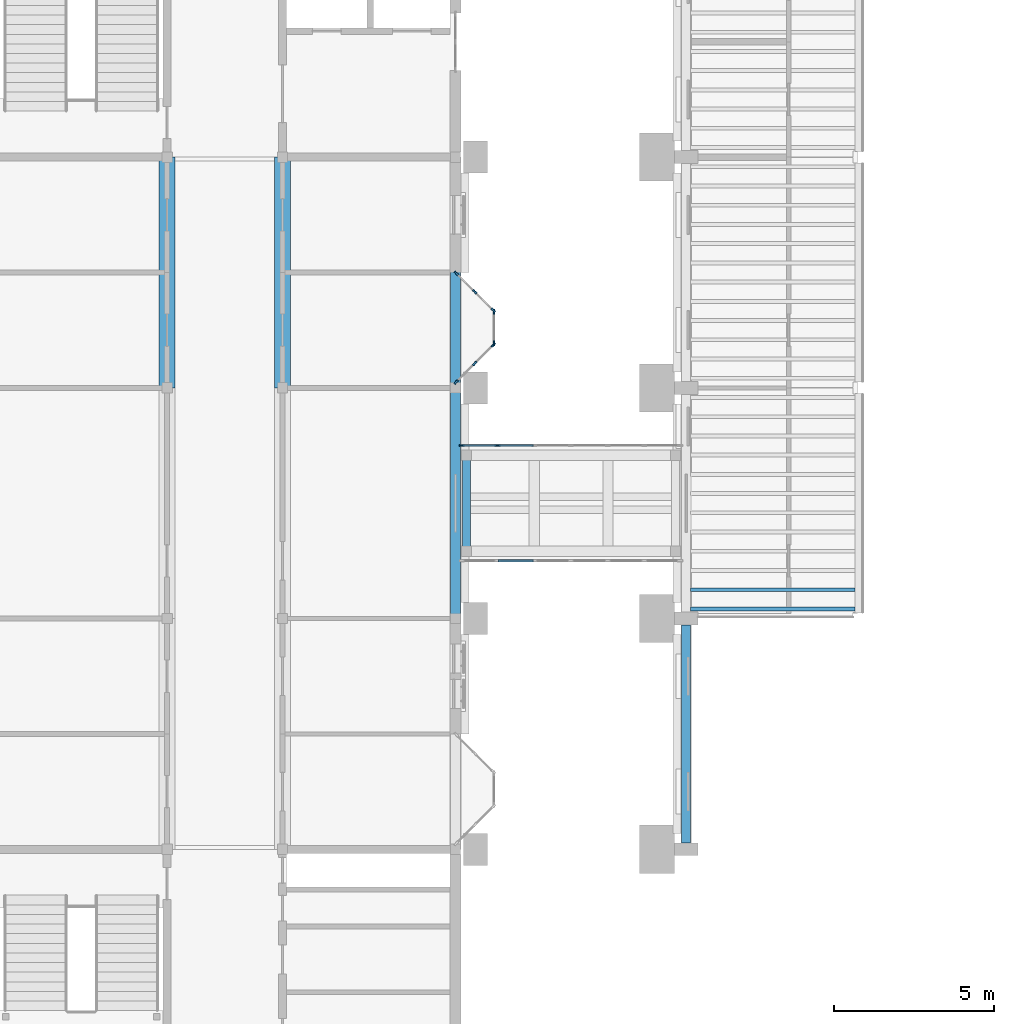
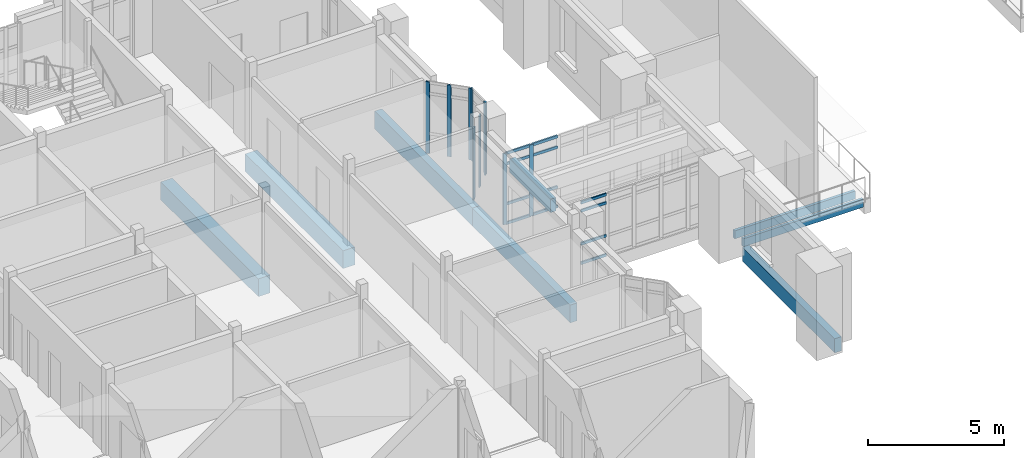
# One storey, part 6 of 69: 22 members, 8 beams, 5 elements without a shape of their own.
"""IFC4 building model written with IfcOpenShell, lengths in metres."""

from ifc_helpers import new_model, si_unit, direction, frame, origin, origin_2d, place, context, subcontext, project, spatial, rectangle, extrude, material, layer, layer_set, material_profile, profile_set, type_object, element, aggregate, save


model = new_model("IFC4")

# Units and contexts
model_context = context("Model", 3, precision=1e-05, world=origin(), true_north=direction((0.0, 1.0)))
body_context = subcontext(model_context, "Body", "Model", "MODEL_VIEW")
ifc_project = project(units=[si_unit("LENGTHUNIT", "METRE"), si_unit("AREAUNIT", "SQUARE_METRE"), si_unit("VOLUMEUNIT", "CUBIC_METRE"), si_unit("PLANEANGLEUNIT", "RADIAN"), si_unit("MASSUNIT", "GRAM", prefix="KILO")], contexts=[model_context])

# Site, building, storey
site_placement = place(None, origin())
site = spatial("IfcSite", under=ifc_project, at=site_placement, CompositionType="ELEMENT")
building_placement = place(site_placement, origin())
building = spatial("IfcBuilding", under=site, at=building_placement, Name="Mazhai Court Health Centre", CompositionType="ELEMENT")
storey_placement = place(building_placement, frame((0.0, 0.0, 6.300048828125)))
storey = spatial("IfcBuildingStorey", under=building, at=storey_placement, Name="L01", CompositionType="ELEMENT", Elevation=6.300048828125)

# Curtain wall, members
ifc_material_1 = material(Name="Teak timber frame, glazed", Category="wood")
ifc_layer_1 = layer(ifc_material_1, 0.10009765625)
ifc_layer_set_1 = layer_set([ifc_layer_1], Name="CURTAIN WALL TIMBER 900")
curtain_wall_type_1 = type_object("IfcCurtainWallType", Name="CURTAIN WALL TIMBER 900", PredefinedType="NOTDEFINED", material=ifc_layer_set_1)
curtain_wall_1_placement = place(storey_placement, origin())
curtain_wall_1 = element("IfcCurtainWall", 1, at=curtain_wall_1_placement, inside=storey, type_object=curtain_wall_type_1, Name="CW-ORIEL-V5-L01-B30-0", PredefinedType="NOTDEFINED")
ifc_material_2 = material(Name="Teak timber", Category="wood")
ifc_material_profile_1 = material_profile(ifc_material_2, rectangle(XDim=0.06005859375, YDim=0.159912109375, at=origin_2d()), Name="CW MULLION 60x160")
ifc_profile_set_1 = profile_set([ifc_material_profile_1], Name="Teak timber")
member_type_1 = type_object("IfcMemberType", Name="CW MULLION 60x160", PredefinedType="MULLION", material=ifc_profile_set_1)
member_1_placement = place(storey_placement, frame((35.021240234375, 27.981201171875, 0.0), z_axis=(0.0, 0.0, 1.0), x_axis=(-0.707106781187, 0.707106781187, 0.0)))
member_1 = element("IfcMember", 2, at=member_1_placement, type_object=member_type_1, Name="CW mullion 1", PredefinedType="MULLION", context=body_context, shape_type="SweptSolid", body=[
    extrude(rectangle(XDim=0.06005859375, YDim=0.159912109375, at=origin_2d()), origin(), (0.0, 0.0, 1.0), 3.219970703125),
])
member_2_placement = place(storey_placement, frame((35.60009765625, 28.56005859375, 0.0), z_axis=(0.0, 0.0, 1.0), x_axis=(-0.707106781187, 0.707106781187, 0.0)))
member_2 = element("IfcMember", 3, at=member_2_placement, type_object=member_type_1, Name="CW mullion 2", PredefinedType="MULLION", context=body_context, shape_type="SweptSolid", body=[
    extrude(rectangle(XDim=0.06005859375, YDim=0.159912109375, at=origin_2d()), origin(), (0.0, 0.0, 1.0), 3.219970703125),
])
member_3_placement = place(storey_placement, frame((36.1787109375, 29.138671875, 0.0), z_axis=(0.0, 0.0, 1.0), x_axis=(-0.707106781187, 0.707106781187, 0.0)))
member_3 = element("IfcMember", 4, at=member_3_placement, type_object=member_type_1, Name="CW mullion 3", PredefinedType="MULLION", context=body_context, shape_type="SweptSolid", body=[
    extrude(rectangle(XDim=0.06005859375, YDim=0.159912109375, at=origin_2d()), origin(), (0.0, 0.0, 1.0), 3.219970703125),
])
aggregate(curtain_wall_1, [member_1, member_2, member_3])

curtain_wall_2_placement = place(storey_placement, origin())
curtain_wall_2 = element("IfcCurtainWall", 5, at=curtain_wall_2_placement, inside=storey, type_object=curtain_wall_type_1, Name="CW-ORIEL-V5-L01-B30-1", PredefinedType="NOTDEFINED")
member_4_placement = place(storey_placement, frame((36.199951171875, 29.18994140625, 0.0), z_axis=(0.0, 0.0, 1.0), x_axis=(-1.0, 0.0, 0.0)))
member_4 = element("IfcMember", 6, at=member_4_placement, type_object=member_type_1, Name="CW mullion 1", PredefinedType="MULLION", context=body_context, shape_type="SweptSolid", body=[
    extrude(rectangle(XDim=0.06005859375, YDim=0.159912109375, at=origin_2d()), origin(), (0.0, 0.0, 1.0), 3.219970703125),
])
member_5_placement = place(storey_placement, frame((36.199951171875, 30.169921875, 0.0), z_axis=(0.0, 0.0, 1.0), x_axis=(-1.0, 0.0, 0.0)))
member_5 = element("IfcMember", 7, at=member_5_placement, type_object=member_type_1, Name="CW mullion 2", PredefinedType="MULLION", context=body_context, shape_type="SweptSolid", body=[
    extrude(rectangle(XDim=0.06005859375, YDim=0.159912109375, at=origin_2d()), origin(), (0.0, 0.0, 1.0), 3.219970703125),
])
aggregate(curtain_wall_2, [member_4, member_5])

curtain_wall_3_placement = place(storey_placement, origin())
curtain_wall_3 = element("IfcCurtainWall", 8, at=curtain_wall_3_placement, inside=storey, type_object=curtain_wall_type_1, Name="CW-ORIEL-V5-L01-B30-2", PredefinedType="NOTDEFINED")
member_6_placement = place(storey_placement, frame((36.1787109375, 30.22119140625, 0.0), z_axis=(0.0, 0.0, 1.0), x_axis=(-0.707106781187, -0.707106781187, 0.0)))
member_6 = element("IfcMember", 9, at=member_6_placement, type_object=member_type_1, Name="CW mullion 1", PredefinedType="MULLION", context=body_context, shape_type="SweptSolid", body=[
    extrude(rectangle(XDim=0.06005859375, YDim=0.159912109375, at=origin_2d()), origin(), (0.0, 0.0, 1.0), 3.219970703125),
])
member_7_placement = place(storey_placement, frame((35.60009765625, 30.800048828125, 0.0), z_axis=(0.0, 0.0, 1.0), x_axis=(-0.707106781187, -0.707106781187, 0.0)))
member_7 = element("IfcMember", 10, at=member_7_placement, type_object=member_type_1, Name="CW mullion 2", PredefinedType="MULLION", context=body_context, shape_type="SweptSolid", body=[
    extrude(rectangle(XDim=0.06005859375, YDim=0.159912109375, at=origin_2d()), origin(), (0.0, 0.0, 1.0), 3.219970703125),
])
member_8_placement = place(storey_placement, frame((35.021240234375, 31.37890625, 0.0), z_axis=(0.0, 0.0, 1.0), x_axis=(-0.707106781187, -0.707106781187, 0.0)))
member_8 = element("IfcMember", 11, at=member_8_placement, type_object=member_type_1, Name="CW mullion 3", PredefinedType="MULLION", context=body_context, shape_type="SweptSolid", body=[
    extrude(rectangle(XDim=0.06005859375, YDim=0.159912109375, at=origin_2d()), origin(), (0.0, 0.0, 1.0), 3.219970703125),
])
aggregate(curtain_wall_3, [member_6, member_7, member_8])

ifc_material_3 = material(Name="Teak timber frame, glazed", Category="wood")
ifc_layer_2 = layer(ifc_material_3, 0.10009765625)
ifc_layer_set_2 = layer_set([ifc_layer_2], Name="CURTAIN WALL TIMBER 1200")
curtain_wall_type_2 = type_object("IfcCurtainWallType", Name="CURTAIN WALL TIMBER 1200", PredefinedType="NOTDEFINED", material=ifc_layer_set_2)
curtain_wall_4_placement = place(storey_placement, origin())
curtain_wall_4 = element("IfcCurtainWall", 12, at=curtain_wall_4_placement, inside=storey, type_object=curtain_wall_type_2, Name="CW-BR-P1-N", PredefinedType="NOTDEFINED")
member_9_placement = place(storey_placement, frame((35.195068359375, 26.0, 0.0), z_axis=(0.0, 0.0, 1.0), x_axis=(0.0, 1.0, 0.0)))
member_9 = element("IfcMember", 13, at=member_9_placement, type_object=member_type_1, Name="CW mullion 1", PredefinedType="MULLION", context=body_context, shape_type="SweptSolid", body=[
    extrude(rectangle(XDim=0.06005859375, YDim=0.159912109375, at=origin_2d()), origin(), (0.0, 0.0, 1.0), 3.199951171875),
])
member_10_placement = place(storey_placement, frame((36.31005859375, 26.0, 0.0), z_axis=(0.0, 0.0, 1.0), x_axis=(0.0, 1.0, 0.0)))
member_10 = element("IfcMember", 14, at=member_10_placement, type_object=member_type_1, Name="CW mullion 2", PredefinedType="MULLION", context=body_context, shape_type="SweptSolid", body=[
    extrude(rectangle(XDim=0.06005859375, YDim=0.159912109375, at=origin_2d()), origin(), (0.0, 0.0, 1.0), 3.199951171875),
])

curtain_wall_5_placement = place(storey_placement, origin())
curtain_wall_5 = element("IfcCurtainWall", 15, at=curtain_wall_5_placement, inside=storey, type_object=curtain_wall_type_2, Name="CW-BR-P1-S", PredefinedType="NOTDEFINED")
ifc_material_4 = material(Name="Teak timber", Category="wood")
ifc_material_profile_2 = material_profile(ifc_material_4, rectangle(XDim=0.06005859375, YDim=0.1201171875, at=origin_2d()), Name="CW TRANSOM 60x120")
ifc_profile_set_2 = profile_set([ifc_material_profile_2], Name="Teak timber")
member_type_2 = type_object("IfcMemberType", Name="CW TRANSOM 60x120", PredefinedType="USERDEFINED", material=ifc_profile_set_2)
member_11_placement = place(storey_placement, frame((36.340087890625, 22.39990234375, 0.030029296875), z_axis=(1.0, 0.0, 0.0), x_axis=(0.0, 1.0, 0.0)))
member_11 = element("IfcMember", 16, at=member_11_placement, type_object=member_type_2, Name="CW transom 2.1", ObjectType="TRANSOM", PredefinedType="USERDEFINED", context=body_context, shape_type="SweptSolid", body=[
    extrude(rectangle(XDim=0.06005859375, YDim=0.1201171875, at=origin_2d()), origin(), (0.0, 0.0, 1.0), 1.0849609375),
])
member_12_placement = place(storey_placement, frame((36.340087890625, 22.39990234375, 0.89990234375), z_axis=(1.0, 0.0, 0.0), x_axis=(0.0, 1.0, 0.0)))
member_12 = element("IfcMember", 17, at=member_12_placement, type_object=member_type_2, Name="CW transom 2.2", ObjectType="TRANSOM", PredefinedType="USERDEFINED", context=body_context, shape_type="SweptSolid", body=[
    extrude(rectangle(XDim=0.06005859375, YDim=0.1201171875, at=origin_2d()), origin(), (0.0, 0.0, 1.0), 1.0849609375),
])
member_13_placement = place(storey_placement, frame((36.340087890625, 22.39990234375, 2.3798828125), z_axis=(1.0, 0.0, 0.0), x_axis=(0.0, 1.0, 0.0)))
member_13 = element("IfcMember", 18, at=member_13_placement, type_object=member_type_2, Name="CW transom 2.3", ObjectType="TRANSOM", PredefinedType="USERDEFINED", context=body_context, shape_type="SweptSolid", body=[
    extrude(rectangle(XDim=0.06005859375, YDim=0.1201171875, at=origin_2d()), origin(), (0.0, 0.0, 1.0), 1.0849609375),
])
member_14_placement = place(storey_placement, frame((36.340087890625, 22.39990234375, 2.75), z_axis=(1.0, 0.0, 0.0), x_axis=(0.0, 1.0, 0.0)))
member_14 = element("IfcMember", 19, at=member_14_placement, type_object=member_type_2, Name="CW transom 2.4", ObjectType="TRANSOM", PredefinedType="USERDEFINED", context=body_context, shape_type="SweptSolid", body=[
    extrude(rectangle(XDim=0.06005859375, YDim=0.1201171875, at=origin_2d()), origin(), (0.0, 0.0, 1.0), 1.0849609375),
])
aggregate(curtain_wall_5, [member_11, member_12, member_13, member_14])

# Member
member_15_placement = place(storey_placement, frame((35.22509765625, 26.0, 0.030029296875), z_axis=(1.0, 0.0, 0.0), x_axis=(0.0, 1.0, 0.0)))
member_15 = element("IfcMember", 20, at=member_15_placement, type_object=member_type_2, Name="CW transom 1.1", ObjectType="TRANSOM", PredefinedType="USERDEFINED", context=body_context, shape_type="SweptSolid", body=[
    extrude(rectangle(XDim=0.06005859375, YDim=0.1201171875, at=origin_2d()), origin(), (0.0, 0.0, 1.0), 1.054931640625),
])

member_16_placement = place(storey_placement, frame((35.22509765625, 26.0, 0.89990234375), z_axis=(1.0, 0.0, 0.0), x_axis=(0.0, 1.0, 0.0)))
member_16 = element("IfcMember", 21, at=member_16_placement, type_object=member_type_2, Name="CW transom 1.2", ObjectType="TRANSOM", PredefinedType="USERDEFINED", context=body_context, shape_type="SweptSolid", body=[
    extrude(rectangle(XDim=0.06005859375, YDim=0.1201171875, at=origin_2d()), origin(), (0.0, 0.0, 1.0), 1.054931640625),
])

member_17_placement = place(storey_placement, frame((35.22509765625, 26.0, 2.699951171875), z_axis=(1.0, 0.0, 0.0), x_axis=(0.0, 1.0, 0.0)))
member_17 = element("IfcMember", 22, at=member_17_placement, type_object=member_type_2, Name="CW transom 1.3", ObjectType="TRANSOM", PredefinedType="USERDEFINED", context=body_context, shape_type="SweptSolid", body=[
    extrude(rectangle(XDim=0.06005859375, YDim=0.1201171875, at=origin_2d()), origin(), (0.0, 0.0, 1.0), 1.054931640625),
])

member_18_placement = place(storey_placement, frame((35.22509765625, 26.0, 3.169921875), z_axis=(1.0, 0.0, 0.0), x_axis=(0.0, 1.0, 0.0)))
member_18 = element("IfcMember", 23, at=member_18_placement, type_object=member_type_2, Name="CW transom 1.4", ObjectType="TRANSOM", PredefinedType="USERDEFINED", context=body_context, shape_type="SweptSolid", body=[
    extrude(rectangle(XDim=0.06005859375, YDim=0.1201171875, at=origin_2d()), origin(), (0.0, 0.0, 1.0), 1.054931640625),
])

member_19_placement = place(storey_placement, frame((36.340087890625, 26.0, 0.030029296875), z_axis=(1.0, 0.0, 0.0), x_axis=(0.0, 1.0, 0.0)))
member_19 = element("IfcMember", 24, at=member_19_placement, type_object=member_type_2, Name="CW transom 2.1", ObjectType="TRANSOM", PredefinedType="USERDEFINED", context=body_context, shape_type="SweptSolid", body=[
    extrude(rectangle(XDim=0.06005859375, YDim=0.1201171875, at=origin_2d()), origin(), (0.0, 0.0, 1.0), 1.0849609375),
])

member_20_placement = place(storey_placement, frame((36.340087890625, 26.0, 0.89990234375), z_axis=(1.0, 0.0, 0.0), x_axis=(0.0, 1.0, 0.0)))
member_20 = element("IfcMember", 25, at=member_20_placement, type_object=member_type_2, Name="CW transom 2.2", ObjectType="TRANSOM", PredefinedType="USERDEFINED", context=body_context, shape_type="SweptSolid", body=[
    extrude(rectangle(XDim=0.06005859375, YDim=0.1201171875, at=origin_2d()), origin(), (0.0, 0.0, 1.0), 1.0849609375),
])

member_21_placement = place(storey_placement, frame((36.340087890625, 26.0, 2.699951171875), z_axis=(1.0, 0.0, 0.0), x_axis=(0.0, 1.0, 0.0)))
member_21 = element("IfcMember", 26, at=member_21_placement, type_object=member_type_2, Name="CW transom 2.3", ObjectType="TRANSOM", PredefinedType="USERDEFINED", context=body_context, shape_type="SweptSolid", body=[
    extrude(rectangle(XDim=0.06005859375, YDim=0.1201171875, at=origin_2d()), origin(), (0.0, 0.0, 1.0), 1.0849609375),
])

member_22_placement = place(storey_placement, frame((36.340087890625, 26.0, 3.169921875), z_axis=(1.0, 0.0, 0.0), x_axis=(0.0, 1.0, 0.0)))
member_22 = element("IfcMember", 27, at=member_22_placement, type_object=member_type_2, Name="CW transom 2.4", ObjectType="TRANSOM", PredefinedType="USERDEFINED", context=body_context, shape_type="SweptSolid", body=[
    extrude(rectangle(XDim=0.06005859375, YDim=0.1201171875, at=origin_2d()), origin(), (0.0, 0.0, 1.0), 1.0849609375),
])

aggregate(curtain_wall_4, [member_9, member_10, member_15, member_16, member_17, member_18, member_19, member_20, member_21, member_22])

# Beams
ifc_material_5 = material(Name="Glulam GL24h", Category="wood")
ifc_material_profile_3 = material_profile(ifc_material_5, rectangle(XDim=0.1201171875, YDim=0.360107421875, at=origin_2d()), Name="GL24h 120x360")
ifc_profile_set_3 = profile_set([ifc_material_profile_3], Name="Glulam GL24h")
beam_type_1 = type_object("IfcBeamType", Name="GL24h 120x360 joist", PredefinedType="JOIST", material=ifc_profile_set_3)
for number, where, z_axis, x_axis, name in (
    (28, (42.340087890625, 20.89990234375, -0.219970703125), (1.0, 0.0, 0.0), (0.0, 1.0, 0.0), "joist-V1-L01-W1-0"),
    (29, (42.340087890625, 21.5, -0.219970703125), (1.0, 0.0, 0.0), (0.0, 1.0, 0.0), "joist-V1-L01-W1-1"),
):
    element("IfcBeam", number, at=place(storey_placement, frame(where, z_axis=z_axis, x_axis=x_axis)), inside=storey, type_object=beam_type_1, Name=name, PredefinedType="JOIST", context=body_context, shape_type="SweptSolid", body=[
        extrude(rectangle(XDim=0.1201171875, YDim=0.360107421875, at=origin_2d()), origin(), (0.0, 0.0, 1.0), 5.119873046875),
    ])
ifc_material_6 = material(Name="Glulam GL28h", Category="wood")
ifc_material_profile_4 = material_profile(ifc_material_6, rectangle(XDim=0.239990234375, YDim=0.60009765625, at=origin_2d()), Name="GL28h 240x600")
ifc_profile_set_4 = profile_set([ifc_material_profile_4], Name="Glulam GL28h")
beam_type_2 = type_object("IfcBeamType", Name="GL28h 240x600 header", PredefinedType="BEAM", material=ifc_profile_set_4)
beam_1_placement = place(storey_placement, frame((35.340087890625, 22.699951171875, 2.804931640625), z_axis=(0.0, 1.0, 0.0), x_axis=(-1.0, 0.0, 0.0)))
element("IfcBeam", 30, at=beam_1_placement, inside=storey, type_object=beam_type_2, Name="header-BR-P1-roof-W", PredefinedType="BEAM", context=body_context, shape_type="SweptSolid", body=[
    extrude(rectangle(XDim=0.239990234375, YDim=0.60009765625, at=origin_2d()), origin(), (0.0, 0.0, 1.0), 3.0),
])
ifc_material_7 = material(Name="Glulam GL28h", Category="wood")
ifc_material_profile_5 = material_profile(ifc_material_7, rectangle(XDim=0.280029296875, YDim=0.639892578125, at=origin_2d()), Name="GL28h 280x640")
ifc_profile_set_5 = profile_set([ifc_material_profile_5], Name="Glulam GL28h")
beam_type_3 = type_object("IfcBeamType", Name="GL28h 280x640 beam", PredefinedType="BEAM", material=ifc_profile_set_5)
beam_2_placement = place(storey_placement, frame((42.199951171875, 13.60009765625, -0.360107421875), z_axis=(0.0, 1.0, 0.0), x_axis=(-1.0, 0.0, 0.0)))
element("IfcBeam", 31, at=beam_2_placement, inside=storey, type_object=beam_type_3, Name="beam-V1-L01-wW0", PredefinedType="BEAM", context=body_context, shape_type="SweptSolid", body=[
    extrude(rectangle(XDim=0.280029296875, YDim=0.639892578125, at=origin_2d()), origin(), (0.0, 0.0, 1.0), 6.7998046875),
])
ifc_material_8 = material(Name="Concrete M40", Category="concrete")
ifc_material_profile_6 = material_profile(ifc_material_8, rectangle(XDim=0.300048828125, YDim=0.800048828125, at=origin_2d()), Name="RC 300x800")
ifc_profile_set_6 = profile_set([ifc_material_profile_6], Name="Concrete M40")
beam_type_4 = type_object("IfcBeamType", Name="RC BEAM 300x800 M40", PredefinedType="BEAM", material=ifc_profile_set_6)
for number, where, z_axis, x_axis, name in (
    (32, (35.0, 20.60009765625, -0.650146484375), (0.0, 1.0, 0.0), (-1.0, 0.0, 0.0), "beam-V5-L01-35-20.6-35-27.8"),
    (33, (35.0, 27.800048828125, -0.650146484375), (0.0, 1.0, 0.0), (-1.0, 0.0, 0.0), "beam-V5-L01-35-27.8-35-35"),
):
    element("IfcBeam", number, at=place(storey_placement, frame(where, z_axis=z_axis, x_axis=x_axis)), inside=storey, type_object=beam_type_4, Name=name, PredefinedType="BEAM", context=body_context, shape_type="SweptSolid", body=[
        extrude(rectangle(XDim=0.300048828125, YDim=0.800048828125, at=origin_2d()), origin(), (0.0, 0.0, 1.0), 7.199951171875),
    ])
ifc_material_9 = material(Name="Concrete M40", Category="concrete")
ifc_material_profile_7 = material_profile(ifc_material_9, rectangle(XDim=0.5, YDim=0.800048828125, at=origin_2d()), Name="RC 500x800")
ifc_profile_set_7 = profile_set([ifc_material_profile_7], Name="Concrete M40")
beam_type_5 = type_object("IfcBeamType", Name="RC BEAM 500x800 M40", PredefinedType="BEAM", material=ifc_profile_set_7)
for number, where, z_axis, x_axis, name in (
    (34, (26.0, 27.800048828125, -0.650146484375), (0.0, 1.0, 0.0), (-1.0, 0.0, 0.0), "beam-V5-L01-26-27.8-26-35"),
    (35, (29.60009765625, 27.800048828125, -0.650146484375), (0.0, 1.0, 0.0), (-1.0, 0.0, 0.0), "beam-V5-L01-29.6-27.8-29.6-35"),
):
    element("IfcBeam", number, at=place(storey_placement, frame(where, z_axis=z_axis, x_axis=x_axis)), inside=storey, type_object=beam_type_5, Name=name, PredefinedType="BEAM", context=body_context, shape_type="SweptSolid", body=[
        extrude(rectangle(XDim=0.5, YDim=0.800048828125, at=origin_2d()), origin(), (0.0, 0.0, 1.0), 7.199951171875),
    ])

save(model, "model.ifc")
